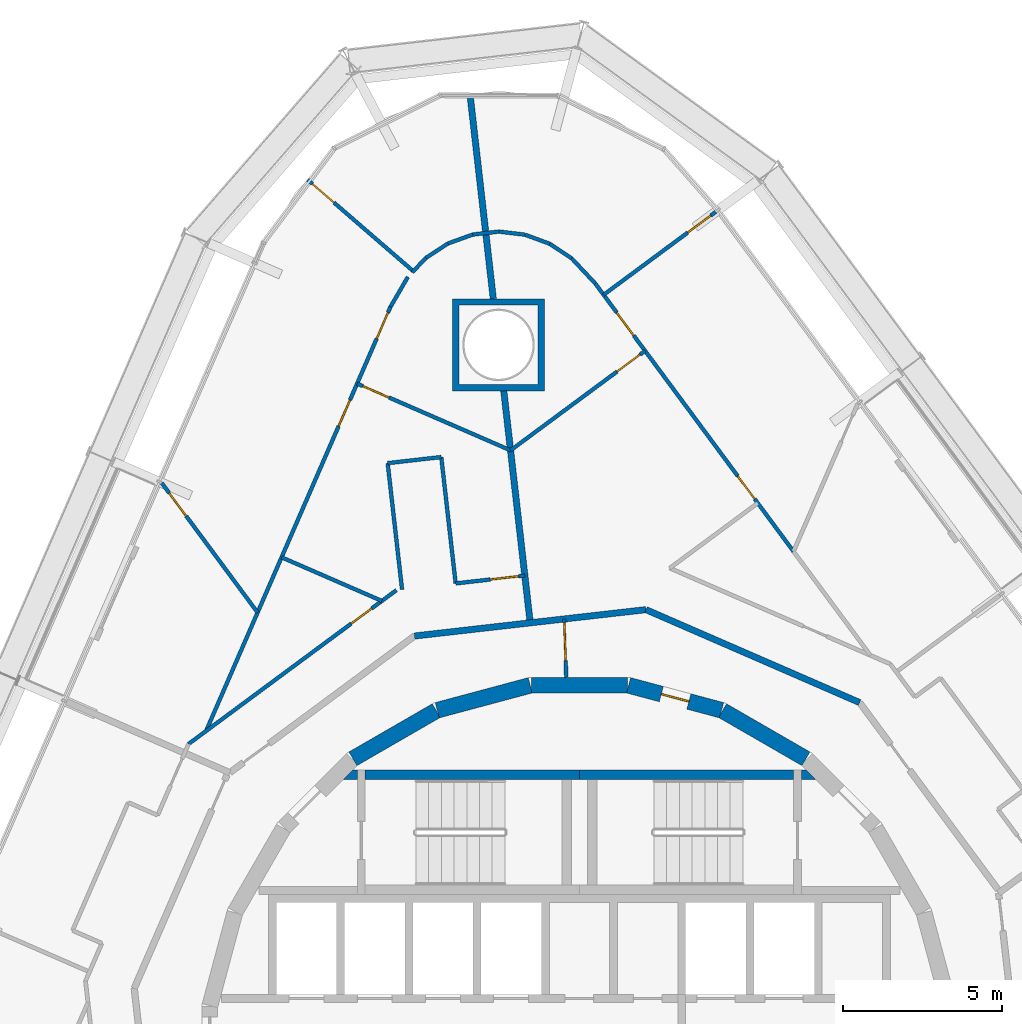
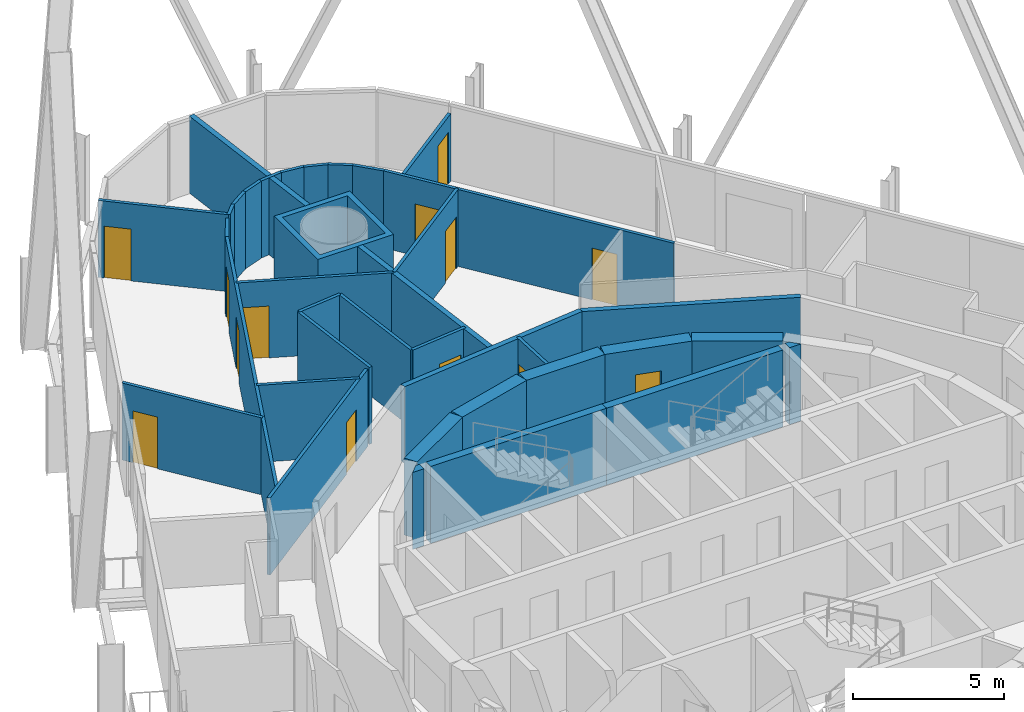
# One storey, part 21 of 23: 37 walls, 13 doors, 13 openings.
"""IFC4 building model written with IfcOpenShell, lengths in metres."""

from ifc_helpers import new_model, si_unit, direction, frame, frame_2d, origin, place, context, subcontext, project, spatial, polyline, rectangle, outline, extrude, material, layer, layer_set, type_object, element, fill, save


model = new_model("IFC4")

# Units and contexts
model_context = context("Model", 3, precision=1e-05, world=origin(), true_north=direction((0.0, 1.0)))
body_context = subcontext(model_context, "Body", "Model", "MODEL_VIEW")
ifc_project = project(units=[si_unit("LENGTHUNIT", "METRE"), si_unit("AREAUNIT", "SQUARE_METRE"), si_unit("VOLUMEUNIT", "CUBIC_METRE"), si_unit("PLANEANGLEUNIT", "RADIAN"), si_unit("MASSUNIT", "GRAM", prefix="KILO")], contexts=[model_context])

# Site, building, storey
site_placement = place(None, origin())
site = spatial("IfcSite", under=ifc_project, at=site_placement, CompositionType="ELEMENT")
building_placement = place(site_placement, origin())
building = spatial("IfcBuilding", under=site, at=building_placement, Name="Spindle Arch Residences", CompositionType="ELEMENT")
storey_placement = place(building_placement, frame((0.0, 0.0, 90.699951171875)))
storey = spatial("IfcBuildingStorey", under=building, at=storey_placement, Name="L21", CompositionType="ELEMENT", Elevation=90.699951171875)

# Wall
ifc_material_1 = material(Name="Concrete C50/60", Category="concrete")
ifc_layer_1 = layer(ifc_material_1, 0.5)
ifc_layer_set_1 = layer_set([ifc_layer_1], Name="Core outline wall 500")
wall_type_1 = type_object("IfcWallType", Name="Core outline wall 500", PredefinedType="SHEAR", material=ifc_layer_set_1)
wall_1_placement = place(storey_placement, frame((7.13671875, 9.32861328125, 0.0), z_axis=(0.0, 0.0, 1.0), x_axis=(-0.865975092491, 0.500087131594, 0.0)))
element("IfcWall", 1, at=wall_1_placement, inside=storey, type_object=wall_type_1, Name="Core outline wall 10", PredefinedType="SHEAR", context=body_context, shape_type="SweptSolid", body=[
    extrude(rectangle(XDim=3.03271484375, YDim=0.5, at=frame_2d((1.516357421875, 0.0))), origin(), (0.0, 0.0, 1.0), 3.1201171875),
])

# Wall, opening, door
wall_2_placement = place(storey_placement, frame((4.479248046875, 10.858154296875, 0.0), z_axis=(0.0, 0.0, 1.0), x_axis=(-0.965948410781, 0.258734743916, 0.0)))
wall_2 = element("IfcWall", 2, at=wall_2_placement, inside=storey, type_object=wall_type_1, Name="Core outline wall 11", PredefinedType="SHEAR", context=body_context, shape_type="SweptSolid", body=[
    extrude(rectangle(XDim=3.03271484375, YDim=0.5, at=frame_2d((1.516357421875, 0.0))), origin(), (0.0, 0.0, 1.0), 3.1201171875),
])
opening_1_placement = place(wall_2_placement, frame((1.066162109375, 0.0, 0.0)))
opening_1 = element("IfcOpeningElement", 3, at=opening_1_placement, cuts=wall_2, Name="Opening R2B0-WD10", PredefinedType="OPENING", context=body_context, shape_type="SweptSolid", body=[
    extrude(rectangle(XDim=0.89990234375, YDim=2.10009765625, at=frame_2d((0.449951171875, 1.050048828125))), frame((0.0, 0.260009765625, 0.0), z_axis=(0.0, -1.0, 0.0), x_axis=(1.0, 0.0, 0.0)), (0.0, 0.0, 1.0), 0.52001953125),
])
ifc_material_2 = material(Name="Steel, fire-resisting door", Category="steel")
door_type_1 = type_object("IfcDoorType", Name="Service room door 900x2100", OperationType="SINGLE_SWING_LEFT", PredefinedType="DOOR", material=ifc_material_2)
door_1_placement = place(opening_1_placement, origin())
door_1 = element("IfcDoor", 4, at=door_1_placement, inside=storey, type_object=door_type_1, Name="Service room door R2B0-WD10", OperationType="SINGLE_SWING_LEFT", OverallHeight=2.10009765625, OverallWidth=0.89990234375, PredefinedType="DOOR", context=body_context, shape_type="SweptSolid", body=[
    extrude(rectangle(XDim=0.89990234375, YDim=2.10009765625, at=frame_2d((0.449951171875, 1.050048828125))), frame((0.0, 0.02490234375, 0.0), z_axis=(0.0, -1.0, 0.0), x_axis=(1.0, 0.0, 0.0)), (0.0, 0.0, 1.0), 0.050048828125),
])
fill(opening_1, door_1)

# Walls
for number, where, z_axis, x_axis, name in (
    (5, (1.516357421875, 11.647216796875, 0.0), (0.0, 0.0, 1.0), (-1.0, 0.0, 0.0), "Core outline wall 12"),
    (6, (-1.5498046875, 11.642822265625, 0.0), (0.0, 0.0, 1.0), (-0.965948410781, -0.258734743916, 0.0), "Core outline wall 13"),
    (7, (-4.510498046875, 10.84521484375, 0.0), (0.0, 0.0, 1.0), (-0.865975092491, -0.500087131594, 0.0), "Core outline wall 14"),
):
    element("IfcWall", number, at=place(storey_placement, frame(where, z_axis=z_axis, x_axis=x_axis)), inside=storey, type_object=wall_type_1, Name=name, PredefinedType="SHEAR", context=body_context, shape_type="SweptSolid", body=[
        extrude(rectangle(XDim=3.03271484375, YDim=0.5, at=frame_2d((1.516357421875, 0.0))), origin(), (0.0, 0.0, 1.0), 3.1201171875),
    ])

# Wall, opening, door
ifc_material_3 = material(Name="Plasterboard on steel studs", Category="steel")
ifc_layer_2 = layer(ifc_material_3, 0.1201171875)
ifc_layer_set_2 = layer_set([ifc_layer_2], Name="Corridor division wall 120")
wall_type_2 = type_object("IfcWallType", Name="Corridor division wall 120", PredefinedType="PARTITIONING", material=ifc_layer_set_2)
wall_3_placement = place(storey_placement, frame((-0.4794921875, 13.73388671875, 0.0), z_axis=(0.0, 0.0, 1.0), x_axis=(0.034805430832, -0.999394107439, 0.0)))
wall_3 = element("IfcWall", 8, at=wall_3_placement, inside=storey, type_object=wall_type_2, Name="Corridor division wall R2B0-W001", PredefinedType="PARTITIONING", context=body_context, shape_type="SweptSolid", body=[
    extrude(rectangle(XDim=1.837890625, YDim=0.1201171875, at=frame_2d((0.9189453125, 0.0))), origin(), (0.0, 0.0, 1.0), 3.1201171875),
])
opening_2_placement = place(wall_3_placement, frame((0.114990234375, 0.0, 0.0)))
opening_2 = element("IfcOpeningElement", 9, at=opening_2_placement, cuts=wall_3, Name="Opening R2B0-CD01", PredefinedType="OPENING", context=body_context, shape_type="SweptSolid", body=[
    extrude(rectangle(XDim=1.199951171875, YDim=2.10009765625, at=frame_2d((0.60009765625, 1.050048828125))), frame((0.0, 0.070068359375, 0.0), z_axis=(0.0, -1.0, 0.0), x_axis=(1.0, 0.0, 0.0)), (0.0, 0.0, 1.0), 0.14013671875),
])
ifc_material_4 = material(Name="Steel, fire-resisting door", Category="steel")
door_type_2 = type_object("IfcDoorType", Name="Corridor division door 1200x2100", OperationType="NOTDEFINED", PredefinedType="DOOR", material=ifc_material_4)
door_2_placement = place(opening_2_placement, origin())
door_2 = element("IfcDoor", 10, at=door_2_placement, inside=storey, type_object=door_type_2, Name="Corridor division door R2B0-CD01", OperationType="DOUBLE_DOOR_SINGLE_SWING", OverallHeight=2.10009765625, OverallWidth=1.199951171875, PredefinedType="DOOR", context=body_context, shape_type="SweptSolid", body=[
    extrude(rectangle(XDim=1.199951171875, YDim=2.10009765625, at=frame_2d((0.60009765625, 1.050048828125))), frame((0.0, 0.02490234375, 0.0), z_axis=(0.0, -1.0, 0.0), x_axis=(1.0, 0.0, 0.0)), (0.0, 0.0, 1.0), 0.050048828125),
])
fill(opening_2, door_2)

# Walls
ifc_material_5 = material(Name="Calcium silicate block, plastered")
ifc_layer_3 = layer(ifc_material_5, 0.199951171875)
ifc_layer_set_3 = layer_set([ifc_layer_3], Name="Corridor wall 200")
wall_type_3 = type_object("IfcWallType", Name="Corridor wall 200", PredefinedType="STANDARD", material=ifc_layer_set_3)
for number, where, z_axis, x_axis, name in (
    (11, (8.829345703125, 11.10009765625, 0.0), (0.0, 0.0, 1.0), (-0.917063183388, 0.398741918631, 0.0), "Corridor wall R2B0-W005"),
    (12, (2.096435546875, 14.027587890625, 0.0), (0.0, 0.0, 1.0), (-0.993569170114, -0.113226782163, 0.0), "Corridor wall R2B0-W006"),
):
    element("IfcWall", number, at=place(storey_placement, frame(where, z_axis=z_axis, x_axis=x_axis)), inside=storey, type_object=wall_type_3, Name=name, PredefinedType="STANDARD", context=body_context, shape_type="SweptSolid", body=[
        extrude(rectangle(XDim=7.341796875, YDim=0.199951171875, at=frame_2d((3.6708984375, 0.0))), origin(), (0.0, 0.0, 1.0), 3.1201171875),
    ])

# Wall, openings, doors
ifc_material_6 = material(Name="Plasterboard on steel studs", Category="steel")
ifc_layer_4 = layer(ifc_material_6, 0.1201171875)
ifc_layer_set_4 = layer_set([ifc_layer_4], Name="Flat partition 120")
wall_type_4 = type_object("IfcWallType", Name="Flat partition 120", PredefinedType="PARTITIONING", material=ifc_layer_set_4)
wall_4_placement = place(storey_placement, frame((6.745849609375, 15.861572265625, 0.0), z_axis=(0.0, 0.0, 1.0), x_axis=(-0.594822280601, 0.803857235148, 0.0)))
wall_4 = element("IfcWall", 13, at=wall_4_placement, inside=storey, type_object=wall_type_4, Name="Flat partition R2B0-W035", PredefinedType="PARTITIONING", context=body_context, shape_type="SweptSolid", body=[
    extrude(rectangle(XDim=10.50439453125, YDim=0.1201171875, at=frame_2d((5.252197265625, 0.0))), origin(), (0.0, 0.0, 1.0), 3.1201171875),
])
opening_3_placement = place(wall_4_placement, frame((2.055908203125, 0.0, 0.0)))
opening_3 = element("IfcOpeningElement", 14, at=opening_3_placement, cuts=wall_4, Name="Opening R2B0-ID02", PredefinedType="OPENING", context=body_context, shape_type="SweptSolid", body=[
    extrude(rectangle(XDim=0.89990234375, YDim=2.10009765625, at=frame_2d((0.449951171875, 1.050048828125))), frame((0.0, 0.070068359375, 0.0), z_axis=(0.0, -1.0, 0.0), x_axis=(1.0, 0.0, 0.0)), (0.0, 0.0, 1.0), 0.14013671875),
])
opening_4_placement = place(wall_4_placement, frame((8.463623046875, 0.0, 0.0)))
opening_4 = element("IfcOpeningElement", 15, at=opening_4_placement, cuts=wall_4, Name="Opening R2B0-ID06", PredefinedType="OPENING", context=body_context, shape_type="SweptSolid", body=[
    extrude(rectangle(XDim=0.89990234375, YDim=2.10009765625, at=frame_2d((0.449951171875, 1.050048828125))), frame((0.0, 0.070068359375, 0.0), z_axis=(0.0, -1.0, 0.0), x_axis=(1.0, 0.0, 0.0)), (0.0, 0.0, 1.0), 0.14013671875),
])
ifc_material_7 = material(Name="Timber door set", Category="wood")
door_type_3 = type_object("IfcDoorType", Name="Room door 900x2100", OperationType="NOTDEFINED", PredefinedType="DOOR", material=ifc_material_7)
door_3_placement = place(opening_3_placement, origin())
door_3 = element("IfcDoor", 16, at=door_3_placement, inside=storey, type_object=door_type_3, Name="Room door R2B0-ID02", OperationType="SINGLE_SWING_RIGHT", OverallHeight=2.10009765625, OverallWidth=0.89990234375, PredefinedType="DOOR", context=body_context, shape_type="SweptSolid", body=[
    extrude(rectangle(XDim=0.89990234375, YDim=2.10009765625, at=frame_2d((0.449951171875, 1.050048828125))), frame((0.0, 0.02490234375, 0.0), z_axis=(0.0, -1.0, 0.0), x_axis=(1.0, 0.0, 0.0)), (0.0, 0.0, 1.0), 0.050048828125),
])
fill(opening_3, door_3)
door_4_placement = place(opening_4_placement, origin())
door_4 = element("IfcDoor", 17, at=door_4_placement, inside=storey, type_object=door_type_3, Name="Room door R2B0-ID06", OperationType="SINGLE_SWING_LEFT", OverallHeight=2.10009765625, OverallWidth=0.89990234375, PredefinedType="DOOR", context=body_context, shape_type="SweptSolid", body=[
    extrude(rectangle(XDim=0.89990234375, YDim=2.10009765625, at=frame_2d((0.449951171875, 1.050048828125))), frame((0.0, 0.02490234375, 0.0), z_axis=(0.0, -1.0, 0.0), x_axis=(1.0, 0.0, 0.0)), (0.0, 0.0, 1.0), 0.050048828125),
])
fill(opening_4, door_4)

# Wall, opening, door
wall_5_placement = place(storey_placement, frame((2.068359375, 22.182861328125, 0.0), z_axis=(0.0, 0.0, 1.0), x_axis=(-0.803867138365, -0.594808896921, 0.0)))
wall_5 = element("IfcWall", 18, at=wall_5_placement, inside=storey, type_object=wall_type_4, Name="Flat partition R2B0-W036", PredefinedType="PARTITIONING", context=body_context, shape_type="SweptSolid", body=[
    extrude(rectangle(XDim=5.272705078125, YDim=0.1201171875, at=frame_2d((2.63623046875, 0.0))), origin(), (0.0, 0.0, 1.0), 3.1201171875),
])
opening_5_placement = place(wall_5_placement, frame((0.199951171875, 0.0, 0.0)))
opening_5 = element("IfcOpeningElement", 19, at=opening_5_placement, cuts=wall_5, Name="Opening R2B0-ID03", PredefinedType="OPENING", context=body_context, shape_type="SweptSolid", body=[
    extrude(rectangle(XDim=0.89990234375, YDim=2.10009765625, at=frame_2d((0.449951171875, 1.050048828125))), frame((0.0, 0.070068359375, 0.0), z_axis=(0.0, -1.0, 0.0), x_axis=(1.0, 0.0, 0.0)), (0.0, 0.0, 1.0), 0.14013671875),
])
door_5_placement = place(opening_5_placement, origin())
door_5 = element("IfcDoor", 20, at=door_5_placement, inside=storey, type_object=door_type_3, Name="Room door R2B0-ID03", OperationType="SINGLE_SWING_RIGHT", OverallHeight=2.10009765625, OverallWidth=0.89990234375, PredefinedType="DOOR", context=body_context, shape_type="SweptSolid", body=[
    extrude(rectangle(XDim=0.89990234375, YDim=2.10009765625, at=frame_2d((0.449951171875, 1.050048828125))), frame((0.0, 0.02490234375, 0.0), z_axis=(0.0, -1.0, 0.0), x_axis=(1.0, 0.0, 0.0)), (0.0, 0.0, 1.0), 0.050048828125),
])
fill(opening_5, door_5)

# Walls
for number, where, z_axis, x_axis, name in (
    (21, (-3.36181640625, 25.846435546875, 0.0), (0.0, 0.0, 1.0), (0.993548802859, 0.113405362912, 0.0), "Flat partition R2B0-W041"),
    (22, (-2.538330078125, 25.9404296875, 0.0), (0.0, 0.0, 1.0), (0.992894945409, -0.118994232556, 0.0), "Flat partition R2B0-W042"),
    (23, (-1.71533203125, 25.841796875, 0.0), (0.0, 0.0, 1.0), (0.938644465852, -0.344886309856, 0.0), "Flat partition R2B0-W043"),
    (24, (-0.937255859375, 25.555908203125, 0.0), (0.0, 0.0, 1.0), (0.833858440069, -0.551978352769, 0.0), "Flat partition R2B0-W044"),
):
    element("IfcWall", number, at=place(storey_placement, frame(where, z_axis=z_axis, x_axis=x_axis)), inside=storey, type_object=wall_type_4, Name=name, PredefinedType="PARTITIONING", context=body_context, shape_type="SweptSolid", body=[
        extrude(rectangle(XDim=0.828857421875, YDim=0.1201171875, at=frame_2d((0.41455078125, 0.0))), origin(), (0.0, 0.0, 1.0), 3.1201171875),
    ])
wall_6_placement = place(storey_placement, frame((-0.24609375, 25.098388671875, 0.0), z_axis=(0.0, 0.0, 1.0), x_axis=(0.684172712488, -0.729320025426, 0.0)))
element("IfcWall", 25, at=wall_6_placement, inside=storey, type_object=wall_type_4, Name="Flat partition R2B0-W045", PredefinedType="PARTITIONING", context=body_context, shape_type="SweptSolid", body=[
    extrude(rectangle(XDim=1.0869140625, YDim=0.1201171875, at=frame_2d((0.54345703125, 0.0))), origin(), (0.0, 0.0, 1.0), 3.1201171875),
])

# Wall, opening, door
wall_7_placement = place(storey_placement, frame((-1.720703125, 15.102294921875, 0.0), z_axis=(0.0, 0.0, 1.0), x_axis=(-0.993571720958, -0.11320439617, 0.0)))
wall_7 = element("IfcWall", 26, at=wall_7_placement, inside=storey, type_object=wall_type_4, Name="Flat partition R2B0-W046", PredefinedType="PARTITIONING", context=body_context, shape_type="SweptSolid", body=[
    extrude(rectangle(XDim=2.193359375, YDim=0.1201171875, at=frame_2d((1.0966796875, 0.0))), origin(), (0.0, 0.0, 1.0), 3.1201171875),
])
opening_6_placement = place(wall_7_placement, frame((0.199951171875, 0.0, 0.0)))
opening_6 = element("IfcOpeningElement", 27, at=opening_6_placement, cuts=wall_7, Name="Opening R2B0-ID07", PredefinedType="OPENING", context=body_context, shape_type="SweptSolid", body=[
    extrude(rectangle(XDim=0.89990234375, YDim=2.10009765625, at=frame_2d((0.449951171875, 1.050048828125))), frame((0.0, 0.070068359375, 0.0), z_axis=(0.0, -1.0, 0.0), x_axis=(1.0, 0.0, 0.0)), (0.0, 0.0, 1.0), 0.14013671875),
])
door_6_placement = place(opening_6_placement, origin())
door_6 = element("IfcDoor", 28, at=door_6_placement, inside=storey, type_object=door_type_3, Name="Room door R2B0-ID07", OperationType="SINGLE_SWING_LEFT", OverallHeight=2.10009765625, OverallWidth=0.89990234375, PredefinedType="DOOR", context=body_context, shape_type="SweptSolid", body=[
    extrude(rectangle(XDim=0.89990234375, YDim=2.10009765625, at=frame_2d((0.449951171875, 1.050048828125))), frame((0.0, 0.02490234375, 0.0), z_axis=(0.0, -1.0, 0.0), x_axis=(1.0, 0.0, 0.0)), (0.0, 0.0, 1.0), 0.050048828125),
])
fill(opening_6, door_6)

# Walls
wall_8_placement = place(storey_placement, frame((-3.89990234375, 14.85400390625, 0.0), z_axis=(0.0, 0.0, 1.0), x_axis=(-0.113178937308, 0.993574621329, 0.0)))
element("IfcWall", 29, at=wall_8_placement, inside=storey, type_object=wall_type_4, Name="Flat partition R2B0-W047", PredefinedType="PARTITIONING", context=body_context, shape_type="SweptSolid", body=[
    extrude(rectangle(XDim=4.0078125, YDim=0.1201171875, at=frame_2d((2.00390625, 0.0))), origin(), (0.0, 0.0, 1.0), 3.1201171875),
])
wall_9_placement = place(storey_placement, frame((-4.353515625, 18.836181640625, 0.0), z_axis=(0.0, 0.0, 1.0), x_axis=(-0.99355903199, -0.113315709199, 0.0)))
element("IfcWall", 30, at=wall_9_placement, inside=storey, type_object=wall_type_4, Name="Flat partition R2B0-W048", PredefinedType="PARTITIONING", context=body_context, shape_type="SweptSolid", body=[
    extrude(rectangle(XDim=1.699951171875, YDim=0.1201171875, at=frame_2d((0.85009765625, 0.0))), origin(), (0.0, 0.0, 1.0), 3.1201171875),
])
wall_10_placement = place(storey_placement, frame((-6.04248046875, 18.6435546875, 0.0), z_axis=(0.0, 0.0, 1.0), x_axis=(0.113185787648, -0.993573840977, 0.0)))
element("IfcWall", 31, at=wall_10_placement, inside=storey, type_object=wall_type_4, Name="Flat partition R2B0-W049", PredefinedType="PARTITIONING", context=body_context, shape_type="SweptSolid", body=[
    extrude(rectangle(XDim=4.007568359375, YDim=0.1201171875, at=frame_2d((2.00390625, 0.0))), origin(), (0.0, 0.0, 1.0), 3.1201171875),
])

# Wall, opening, door
wall_11_placement = place(storey_placement, frame((-5.767333984375, 14.64111328125, 0.0), z_axis=(0.0, 0.0, 1.0), x_axis=(-0.803853364238, -0.594827511807, 0.0)))
wall_11 = element("IfcWall", 32, at=wall_11_placement, inside=storey, type_object=wall_type_4, Name="Flat partition R2B0-W050", PredefinedType="PARTITIONING", context=body_context, shape_type="SweptSolid", body=[
    extrude(rectangle(XDim=8.1455078125, YDim=0.1201171875, at=frame_2d((4.07275390625, 0.0))), origin(), (0.0, 0.0, 1.0), 3.1201171875),
])
opening_7_placement = place(wall_11_placement, frame((0.9697265625, 0.0, 0.0)))
opening_7 = element("IfcOpeningElement", 33, at=opening_7_placement, cuts=wall_11, Name="Opening R2B0-BD02", PredefinedType="OPENING", context=body_context, shape_type="SweptSolid", body=[
    extrude(rectangle(XDim=0.800048828125, YDim=2.10009765625, at=frame_2d((0.39990234375, 1.050048828125))), frame((0.0, 0.070068359375, 0.0), z_axis=(0.0, -1.0, 0.0), x_axis=(1.0, 0.0, 0.0)), (0.0, 0.0, 1.0), 0.14013671875),
])
ifc_material_8 = material(Name="Timber door set", Category="wood")
door_type_4 = type_object("IfcDoorType", Name="Bathroom door 800x2100", OperationType="NOTDEFINED", PredefinedType="DOOR", material=ifc_material_8)
door_7_placement = place(opening_7_placement, origin())
door_7 = element("IfcDoor", 34, at=door_7_placement, inside=storey, type_object=door_type_4, Name="Bathroom door R2B0-BD02", OperationType="SINGLE_SWING_LEFT", OverallHeight=2.10009765625, OverallWidth=0.800048828125, PredefinedType="DOOR", context=body_context, shape_type="SweptSolid", body=[
    extrude(rectangle(XDim=0.800048828125, YDim=2.10009765625, at=frame_2d((0.39990234375, 1.050048828125))), frame((0.0, 0.02490234375, 0.0), z_axis=(0.0, -1.0, 0.0), x_axis=(1.0, 0.0, 0.0)), (0.0, 0.0, 1.0), 0.050048828125),
])
fill(opening_7, door_7)

# Walls
wall_12_placement = place(storey_placement, frame((-5.261474609375, 24.662841796875, 0.0), z_axis=(0.0, 0.0, 1.0), x_axis=(0.688324306424, 0.725403094277, 0.0)))
element("IfcWall", 35, at=wall_12_placement, inside=storey, type_object=wall_type_4, Name="Flat partition R2B0-W052", PredefinedType="PARTITIONING", context=body_context, shape_type="SweptSolid", body=[
    extrude(rectangle(XDim=0.618896484375, YDim=0.1201171875, at=frame_2d((0.3095703125, 0.0))), origin(), (0.0, 0.0, 1.0), 3.1201171875),
])
wall_13_placement = place(storey_placement, frame((-4.83544921875, 25.11181640625, 0.0), z_axis=(0.0, 0.0, 1.0), x_axis=(0.837047461437, 0.547130283664, 0.0)))
element("IfcWall", 36, at=wall_13_placement, inside=storey, type_object=wall_type_4, Name="Flat partition R2B0-W053", PredefinedType="PARTITIONING", context=body_context, shape_type="SweptSolid", body=[
    extrude(rectangle(XDim=0.82861328125, YDim=0.1201171875, at=frame_2d((0.414306640625, 0.0))), origin(), (0.0, 0.0, 1.0), 3.1201171875),
])
wall_14_placement = place(storey_placement, frame((-4.141845703125, 25.565185546875, 0.0), z_axis=(0.0, 0.0, 1.0), x_axis=(0.940718391217, 0.33918860303, 0.0)))
element("IfcWall", 37, at=wall_14_placement, inside=storey, type_object=wall_type_4, Name="Flat partition R2B0-W054", PredefinedType="PARTITIONING", context=body_context, shape_type="SweptSolid", body=[
    extrude(rectangle(XDim=0.8291015625, YDim=0.1201171875, at=frame_2d((0.41455078125, 0.0))), origin(), (0.0, 0.0, 1.0), 3.1201171875),
])

# Wall, opening, door
wall_15_placement = place(storey_placement, frame((-8.56591796875, 27.57275390625, 0.0), z_axis=(0.0, 0.0, 1.0), x_axis=(0.756463964606, -0.654035373854, 0.0)))
wall_15 = element("IfcWall", 38, at=wall_15_placement, inside=storey, type_object=wall_type_4, Name="Flat partition R2B0-W055", PredefinedType="PARTITIONING", context=body_context, shape_type="SweptSolid", body=[
    extrude(rectangle(XDim=4.40478515625, YDim=0.1201171875, at=frame_2d((2.202392578125, 0.0))), origin(), (0.0, 0.0, 1.0), 3.1201171875),
])
opening_8_placement = place(wall_15_placement, frame((0.199951171875, 0.0, 0.0)))
opening_8 = element("IfcOpeningElement", 39, at=opening_8_placement, cuts=wall_15, Name="Opening R2B0-ID10", PredefinedType="OPENING", context=body_context, shape_type="SweptSolid", body=[
    extrude(rectangle(XDim=0.89990234375, YDim=2.10009765625, at=frame_2d((0.449951171875, 1.050048828125))), frame((0.0, 0.070068359375, 0.0), z_axis=(0.0, -1.0, 0.0), x_axis=(1.0, 0.0, 0.0)), (0.0, 0.0, 1.0), 0.14013671875),
])
door_8_placement = place(opening_8_placement, origin())
door_8 = element("IfcDoor", 40, at=door_8_placement, inside=storey, type_object=door_type_3, Name="Room door R2B0-ID10", OperationType="SINGLE_SWING_LEFT", OverallHeight=2.10009765625, OverallWidth=0.89990234375, PredefinedType="DOOR", context=body_context, shape_type="SweptSolid", body=[
    extrude(rectangle(XDim=0.89990234375, YDim=2.10009765625, at=frame_2d((0.449951171875, 1.050048828125))), frame((0.0, 0.02490234375, 0.0), z_axis=(0.0, -1.0, 0.0), x_axis=(1.0, 0.0, 0.0)), (0.0, 0.0, 1.0), 0.050048828125),
])
fill(opening_8, door_8)

wall_16_placement = place(storey_placement, frame((-7.00537109375, 21.149169921875, 0.0), z_axis=(0.0, 0.0, 1.0), x_axis=(0.917050915224, -0.398770132891, 0.0)))
wall_16 = element("IfcWall", 41, at=wall_16_placement, inside=storey, type_object=wall_type_4, Name="Flat partition R2B0-W056", PredefinedType="PARTITIONING", context=body_context, shape_type="SweptSolid", body=[
    extrude(rectangle(XDim=5.2724609375, YDim=0.1201171875, at=frame_2d((2.63623046875, 0.0))), origin(), (0.0, 0.0, 1.0), 3.1201171875),
])
opening_9_placement = place(wall_16_placement, frame((0.199951171875, 0.0, 0.0)))
opening_9 = element("IfcOpeningElement", 42, at=opening_9_placement, cuts=wall_16, Name="Opening R2B0-ID08", PredefinedType="OPENING", context=body_context, shape_type="SweptSolid", body=[
    extrude(rectangle(XDim=0.89990234375, YDim=2.10009765625, at=frame_2d((0.449951171875, 1.050048828125))), frame((0.0, 0.070068359375, 0.0), z_axis=(0.0, -1.0, 0.0), x_axis=(1.0, 0.0, 0.0)), (0.0, 0.0, 1.0), 0.14013671875),
])
door_9_placement = place(opening_9_placement, origin())
door_9 = element("IfcDoor", 43, at=door_9_placement, inside=storey, type_object=door_type_3, Name="Room door R2B0-ID08", OperationType="SINGLE_SWING_LEFT", OverallHeight=2.10009765625, OverallWidth=0.89990234375, PredefinedType="DOOR", context=body_context, shape_type="SweptSolid", body=[
    extrude(rectangle(XDim=0.89990234375, YDim=2.10009765625, at=frame_2d((0.449951171875, 1.050048828125))), frame((0.0, 0.02490234375, 0.0), z_axis=(0.0, -1.0, 0.0), x_axis=(1.0, 0.0, 0.0)), (0.0, 0.0, 1.0), 0.050048828125),
])
fill(opening_9, door_9)

# Wall
wall_17_placement = place(storey_placement, frame((-5.40625, 24.510498046875, 0.0), z_axis=(0.0, 0.0, 1.0), x_axis=(-0.502487709822, -0.864584351858, 0.0)))
element("IfcWall", 44, at=wall_17_placement, inside=storey, type_object=wall_type_4, Name="Flat partition R2B0-W057", PredefinedType="PARTITIONING", context=body_context, shape_type="SweptSolid", body=[
    extrude(rectangle(XDim=1.0869140625, YDim=0.1201171875, at=frame_2d((0.54345703125, 0.0))), origin(), (0.0, 0.0, 1.0), 3.1201171875),
])

# Wall, openings, doors
wall_18_placement = place(storey_placement, frame((-5.952392578125, 23.57080078125, 0.0), z_axis=(0.0, 0.0, 1.0), x_axis=(-0.398745097158, -0.917061801348, 0.0)))
wall_18 = element("IfcWall", 45, at=wall_18_placement, inside=storey, type_object=wall_type_4, Name="Flat partition R2B0-W058", PredefinedType="PARTITIONING", context=body_context, shape_type="SweptSolid", body=[
    extrude(rectangle(XDim=14.576416015625, YDim=0.1201171875, at=frame_2d((7.2880859375, 0.0))), origin(), (0.0, 0.0, 1.0), 3.1201171875),
])
opening_10_placement = place(wall_18_placement, frame((3.20068359375, 0.0, 0.0)))
opening_10 = element("IfcOpeningElement", 46, at=opening_10_placement, cuts=wall_18, Name="Opening R2B0-ID09", PredefinedType="OPENING", context=body_context, shape_type="SweptSolid", body=[
    extrude(rectangle(XDim=0.89990234375, YDim=2.10009765625, at=frame_2d((0.449951171875, 1.050048828125))), frame((0.0, 0.070068359375, 0.0), z_axis=(0.0, -1.0, 0.0), x_axis=(1.0, 0.0, 0.0)), (0.0, 0.0, 1.0), 0.14013671875),
])
opening_11_placement = place(wall_18_placement, frame((0.199951171875, 0.0, 0.0)))
opening_11 = element("IfcOpeningElement", 47, at=opening_11_placement, cuts=wall_18, Name="Opening R2B0-ID12", PredefinedType="OPENING", context=body_context, shape_type="SweptSolid", body=[
    extrude(rectangle(XDim=0.89990234375, YDim=2.10009765625, at=frame_2d((0.449951171875, 1.050048828125))), frame((0.0, 0.070068359375, 0.0), z_axis=(0.0, -1.0, 0.0), x_axis=(1.0, 0.0, 0.0)), (0.0, 0.0, 1.0), 0.14013671875),
])
door_10_placement = place(opening_10_placement, origin())
door_10 = element("IfcDoor", 48, at=door_10_placement, inside=storey, type_object=door_type_3, Name="Room door R2B0-ID09", OperationType="SINGLE_SWING_LEFT", OverallHeight=2.10009765625, OverallWidth=0.89990234375, PredefinedType="DOOR", context=body_context, shape_type="SweptSolid", body=[
    extrude(rectangle(XDim=0.89990234375, YDim=2.10009765625, at=frame_2d((0.449951171875, 1.050048828125))), frame((0.0, 0.02490234375, 0.0), z_axis=(0.0, -1.0, 0.0), x_axis=(1.0, 0.0, 0.0)), (0.0, 0.0, 1.0), 0.050048828125),
])
fill(opening_10, door_10)
door_11_placement = place(opening_11_placement, origin())
door_11 = element("IfcDoor", 49, at=door_11_placement, inside=storey, type_object=door_type_3, Name="Room door R2B0-ID12", OperationType="SINGLE_SWING_RIGHT", OverallHeight=2.10009765625, OverallWidth=0.89990234375, PredefinedType="DOOR", context=body_context, shape_type="SweptSolid", body=[
    extrude(rectangle(XDim=0.89990234375, YDim=2.10009765625, at=frame_2d((0.449951171875, 1.050048828125))), frame((0.0, 0.02490234375, 0.0), z_axis=(0.0, -1.0, 0.0), x_axis=(1.0, 0.0, 0.0)), (0.0, 0.0, 1.0), 0.050048828125),
])
fill(opening_11, door_11)

# Wall
wall_19_placement = place(storey_placement, frame((-9.385009765625, 15.67626953125, 0.0), z_axis=(0.0, 0.0, 1.0), x_axis=(0.917068929701, -0.398728702475, 0.0)))
element("IfcWall", 50, at=wall_19_placement, inside=storey, type_object=wall_type_4, Name="Flat partition R2B0-W059", PredefinedType="PARTITIONING", context=body_context, shape_type="SweptSolid", body=[
    extrude(rectangle(XDim=3.4453125, YDim=0.1201171875, at=frame_2d((1.72265625, 0.0))), origin(), (0.0, 0.0, 1.0), 3.1201171875),
])

# Wall, opening, door
wall_20_placement = place(storey_placement, frame((-13.1630859375, 18.021728515625, 0.0), z_axis=(0.0, 0.0, 1.0), x_axis=(0.594797671626, -0.803875444226, 0.0)))
wall_20 = element("IfcWall", 51, at=wall_20_placement, inside=storey, type_object=wall_type_4, Name="Flat partition R2B0-W060", PredefinedType="PARTITIONING", context=body_context, shape_type="SweptSolid", body=[
    extrude(rectangle(XDim=5.08056640625, YDim=0.1201171875, at=frame_2d((2.540283203125, 0.0))), origin(), (0.0, 0.0, 1.0), 3.1201171875),
])
opening_12_placement = place(wall_20_placement, frame((0.39990234375, 0.0, 0.0)))
opening_12 = element("IfcOpeningElement", 52, at=opening_12_placement, cuts=wall_20, Name="Opening R2B0-ID11", PredefinedType="OPENING", context=body_context, shape_type="SweptSolid", body=[
    extrude(rectangle(XDim=0.89990234375, YDim=2.10009765625, at=frame_2d((0.449951171875, 1.050048828125))), frame((0.0, 0.070068359375, 0.0), z_axis=(0.0, -1.0, 0.0), x_axis=(1.0, 0.0, 0.0)), (0.0, 0.0, 1.0), 0.14013671875),
])
door_12_placement = place(opening_12_placement, origin())
door_12 = element("IfcDoor", 53, at=door_12_placement, inside=storey, type_object=door_type_3, Name="Room door R2B0-ID11", OperationType="SINGLE_SWING_RIGHT", OverallHeight=2.10009765625, OverallWidth=0.89990234375, PredefinedType="DOOR", context=body_context, shape_type="SweptSolid", body=[
    extrude(rectangle(XDim=0.89990234375, YDim=2.10009765625, at=frame_2d((0.449951171875, 1.050048828125))), frame((0.0, 0.02490234375, 0.0), z_axis=(0.0, -1.0, 0.0), x_axis=(1.0, 0.0, 0.0)), (0.0, 0.0, 1.0), 0.050048828125),
])
fill(opening_12, door_12)

ifc_material_9 = material(Name="Plasterboard on steel studs", Category="steel")
ifc_layer_5 = layer(ifc_material_9, 0.1201171875)
ifc_layer_set_5 = layer_set([ifc_layer_5], Name="Flat partition 120 under beam 2730")
wall_type_5 = type_object("IfcWallType", Name="Flat partition 120 under beam 2730", PredefinedType="PARTITIONING", material=ifc_layer_set_5)
wall_21_placement = place(storey_placement, frame((4.29931640625, 26.56494140625, 0.0), z_axis=(0.0, 0.0, 1.0), x_axis=(-0.803851981262, -0.594829380764, 0.0)))
wall_21 = element("IfcWall", 54, at=wall_21_placement, inside=storey, type_object=wall_type_5, Name="Flat partition R2B0-W040", PredefinedType="PARTITIONING", context=body_context, shape_type="SweptSolid", body=[
    extrude(rectangle(XDim=4.39990234375, YDim=0.1201171875, at=frame_2d((2.199951171875, 0.0))), origin(), (0.0, 0.0, 1.0), 2.72998046875),
])
opening_13_placement = place(wall_21_placement, frame((0.199951171875, 0.0, 0.0)))
opening_13 = element("IfcOpeningElement", 55, at=opening_13_placement, cuts=wall_21, Name="Opening R2B0-ID05", PredefinedType="OPENING", context=body_context, shape_type="SweptSolid", body=[
    extrude(rectangle(XDim=0.89990234375, YDim=2.10009765625, at=frame_2d((0.449951171875, 1.050048828125))), frame((0.0, 0.070068359375, 0.0), z_axis=(0.0, -1.0, 0.0), x_axis=(1.0, 0.0, 0.0)), (0.0, 0.0, 1.0), 0.14013671875),
])
door_13_placement = place(opening_13_placement, origin())
door_13 = element("IfcDoor", 56, at=door_13_placement, inside=storey, type_object=door_type_3, Name="Room door R2B0-ID05", OperationType="SINGLE_SWING_RIGHT", OverallHeight=2.10009765625, OverallWidth=0.89990234375, PredefinedType="DOOR", context=body_context, shape_type="SweptSolid", body=[
    extrude(rectangle(XDim=0.89990234375, YDim=2.10009765625, at=frame_2d((0.449951171875, 1.050048828125))), frame((0.0, 0.02490234375, 0.0), z_axis=(0.0, -1.0, 0.0), x_axis=(1.0, 0.0, 0.0)), (0.0, 0.0, 1.0), 0.050048828125),
])
fill(opening_13, door_13)

# Walls
ifc_material_10 = material(Name="Calcium silicate block, plastered")
ifc_layer_6 = layer(ifc_material_10, 0.199951171875)
ifc_layer_set_6 = layer_set([ifc_layer_6], Name="Flat party wall 200")
wall_type_6 = type_object("IfcWallType", Name="Flat party wall 200", PredefinedType="STANDARD", material=ifc_layer_set_6)
wall_22_placement = place(storey_placement, frame((-2.383544921875, 20.92041015625, 0.0), z_axis=(0.0, 0.0, 1.0), x_axis=(0.113210540889, -0.993571020829, 0.0)))
element("IfcWall", 57, at=wall_22_placement, inside=storey, type_object=wall_type_6, Name="Flat party wall R2B0-W016", PredefinedType="STANDARD", context=body_context, shape_type="SweptSolid", body=[
    extrude(rectangle(XDim=7.35595703125, YDim=0.199951171875, at=frame_2d((3.677978515625, 0.0))), origin(), (0.0, 0.0, 1.0), 3.1201171875),
])
wall_23_placement = place(storey_placement, frame((-3.4482421875, 30.26513671875, 0.0), z_axis=(0.0, 0.0, 1.0), x_axis=(0.113178237968, -0.993574700992, 0.0)))
element("IfcWall", 58, at=wall_23_placement, inside=storey, type_object=wall_type_6, Name="Flat party wall R2B0-W019", PredefinedType="STANDARD", context=body_context, shape_type="SweptSolid", body=[
    extrude(rectangle(XDim=6.486572265625, YDim=0.199951171875, at=frame_2d((3.2431640625, 0.0))), origin(), (0.0, 0.0, 1.0), 3.1201171875),
])
ifc_material_11 = material(Name="Calcium silicate block, plastered")
ifc_layer_7 = layer(ifc_material_11, 0.199951171875)
ifc_layer_set_7 = layer_set([ifc_layer_7], Name="Mega-column casing wall 200")
wall_type_7 = type_object("IfcWallType", Name="Mega-column casing wall 200", PredefinedType="STANDARD", material=ifc_layer_set_7)
wall_24_placement = place(storey_placement, origin())
element("IfcWall", 59, at=wall_24_placement, inside=storey, type_object=wall_type_7, Name="Mega-column casing wall R2B0-WC01", PredefinedType="STANDARD", context=body_context, shape_type="SweptSolid", body=[
    extrude(outline(polyline([(-1.098876953125, 23.8203125), (-1.098876953125, 20.92041015625), (-3.998779296875, 20.92041015625), (-3.998779296875, 23.8203125), (-1.098876953125, 23.8203125)]), holes=[polyline([(-3.798828125, 21.120361328125), (-1.298828125, 21.120361328125), (-1.298828125, 23.620361328125), (-3.798828125, 23.620361328125), (-3.798828125, 21.120361328125)])]), origin(), (0.0, 0.0, 1.0), 3.1201171875),
])
ifc_material_12 = material(Name="Concrete C40/50", Category="concrete")
wall_type_8 = type_object("IfcWallType", Name="Stair airlock wall profile", PredefinedType="SHEAR", material=ifc_material_12)
wall_25_placement = place(storey_placement, origin())
element("IfcWall", 60, at=wall_25_placement, inside=storey, type_object=wall_type_8, Name="Stair ST-1 airlock wall N", PredefinedType="SHEAR", context=body_context, shape_type="SweptSolid", body=[
    extrude(outline(polyline([(7.4482421875, 8.669921875), (7.0, 8.669921875), (7.0, 8.969970703125), (7.148193359375, 8.969970703125), (7.4482421875, 8.669921875)])), origin(), (0.0, 0.0, 1.0), 3.1201171875),
])
wall_26_placement = place(storey_placement, origin())
element("IfcWall", 61, at=wall_26_placement, inside=storey, type_object=wall_type_8, Name="Stair ST-2 airlock wall N", PredefinedType="SHEAR", context=body_context, shape_type="SweptSolid", body=[
    extrude(outline(polyline([(-7.148193359375, 8.969970703125), (-7.0, 8.969970703125), (-7.0, 8.669921875), (-7.4482421875, 8.669921875), (-7.148193359375, 8.969970703125)])), origin(), (0.0, 0.0, 1.0), 3.1201171875),
])
ifc_material_13 = material(Name="Concrete C50/60", Category="concrete")
ifc_layer_8 = layer(ifc_material_13, 0.300048828125)
ifc_layer_set_8 = layer_set([ifc_layer_8], Name="Stair enclosure wall 300")
wall_type_9 = type_object("IfcWallType", Name="Stair enclosure wall 300", PredefinedType="SHEAR", material=ifc_layer_set_8)
for number, where, z_axis, x_axis, name in (
    (62, (0.0, 8.820068359375, 0.0), (0.0, 0.0, 1.0), (1.0, 0.0, 0.0), "Stair ST-1 enclosure wall N"),
    (63, (-6.75, 8.820068359375, 0.0), (0.0, 0.0, 1.0), (1.0, 0.0, 0.0), "Stair ST-2 enclosure wall N"),
):
    element("IfcWall", number, at=place(storey_placement, frame(where, z_axis=z_axis, x_axis=x_axis)), inside=storey, type_object=wall_type_9, Name=name, PredefinedType="SHEAR", context=body_context, shape_type="SweptSolid", body=[
        extrude(rectangle(XDim=6.75, YDim=0.300048828125, at=frame_2d((3.375, 0.0))), origin(), (0.0, 0.0, 1.0), 3.1201171875),
    ])

save(model, "model.ifc")
